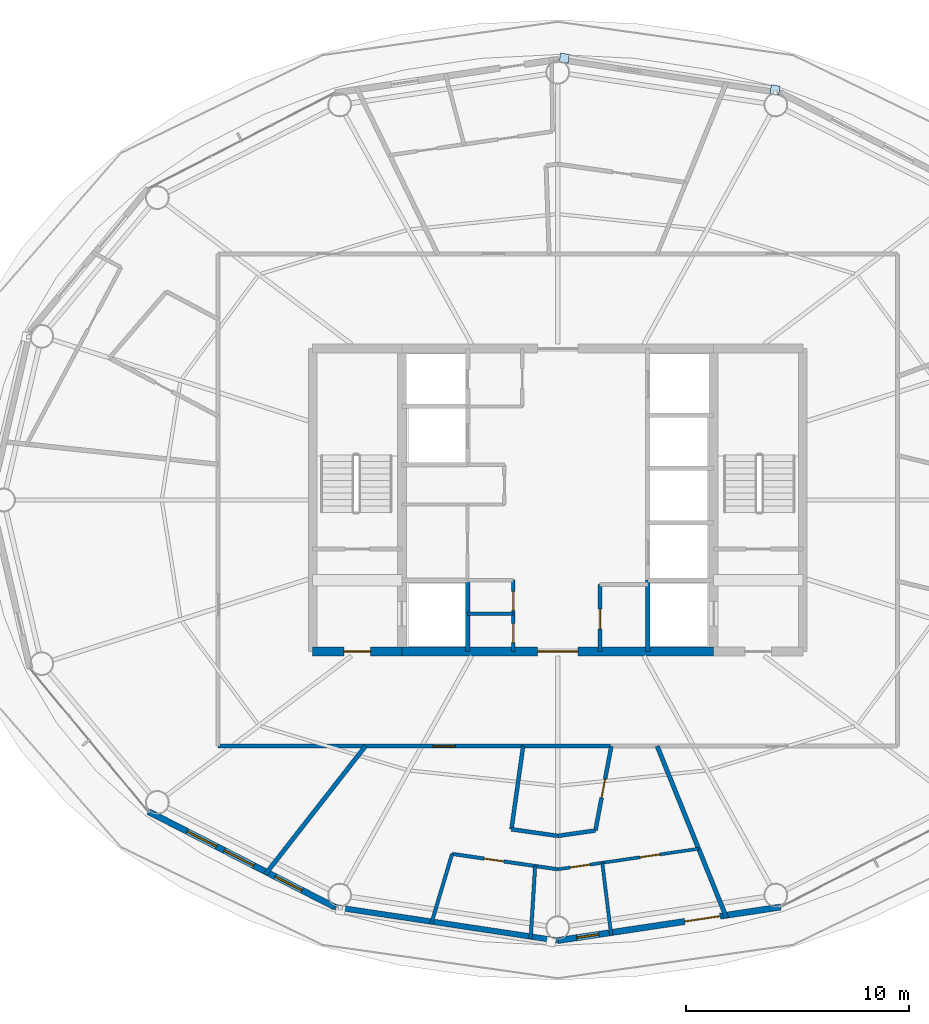
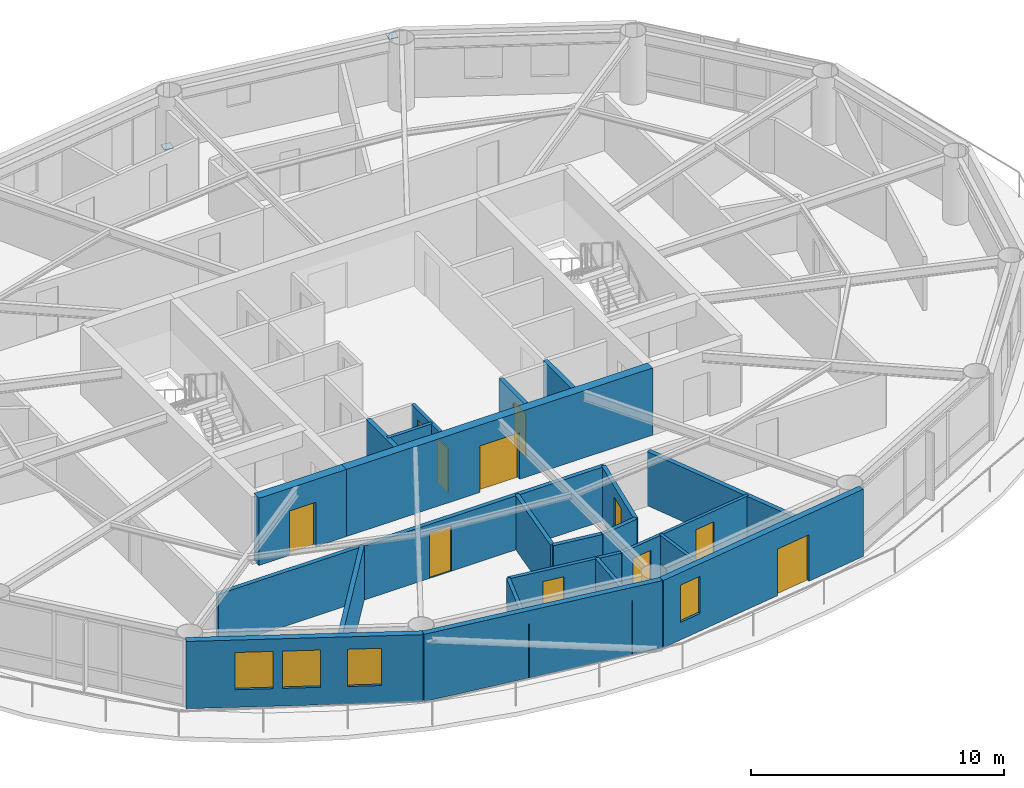
# One storey, part 18 of 24: 22 walls, 11 doors, 4 windows, 2 plates, 15 openings.
"""IFC4 building model written with IfcOpenShell, lengths in metres."""

from ifc_helpers import new_model, si_unit, direction, frame, frame_2d, origin, origin_2d, place, context, subcontext, project, spatial, rectangle, extrude, material, layer, layer_set, type_object, element, fill, save


model = new_model("IFC4")

# Units and contexts
model_context = context("Model", 3, precision=1e-05, world=origin(), true_north=direction((0.0, 1.0)))
body_context = subcontext(model_context, "Body", "Model", "MODEL_VIEW")
ifc_project = project(units=[si_unit("LENGTHUNIT", "METRE"), si_unit("AREAUNIT", "SQUARE_METRE"), si_unit("VOLUMEUNIT", "CUBIC_METRE"), si_unit("PLANEANGLEUNIT", "RADIAN"), si_unit("MASSUNIT", "GRAM", prefix="KILO")], contexts=[model_context])

# Site, building, storey
site_placement = place(None, origin())
site = spatial("IfcSite", under=ifc_project, at=site_placement, CompositionType="ELEMENT")
building_placement = place(site_placement, origin())
building = spatial("IfcBuilding", under=site, at=building_placement, Name="Sarneth Arch Tower", CompositionType="ELEMENT")
storey_placement = place(building_placement, frame((0.0, 0.0, 253.199951171875)))
storey = spatial("IfcBuildingStorey", under=building, at=storey_placement, Name="L65", CompositionType="ELEMENT", Elevation=253.199951171875)

# Plates
ifc_material_1 = material(Name="Steel S355", Category="steel")
ifc_layer_1 = layer(ifc_material_1, 0.035888671875)
ifc_layer_set_1 = layer_set([ifc_layer_1], Name="Steel S355")
plate_type = type_object("IfcPlateType", Name="PLT-GUSSET-30", PredefinedType="SHEET", material=ifc_layer_set_1)
for number, where, z_axis, x_axis, name in (
    (1, (48.296630859375, 61.83544921875, 0.001953125), (0.0, 0.0, 1.0), (-0.988860535448, 0.148845024885, 0.0), "Steel end cap plate GP-1"),
    (2, (57.754150390625, 60.411376953125, 2.90869140625), (0.0, 0.0, 1.0), (-0.988860535448, 0.148845024885, 0.0), "Steel end cap plate GP-1"),
):
    element("IfcPlate", number, at=place(storey_placement, frame(where, z_axis=z_axis, x_axis=x_axis)), inside=storey, type_object=plate_type, Name=name, PredefinedType="SHEET", context=body_context, shape_type="SweptSolid", body=[
        extrude(rectangle(XDim=0.404052734375, YDim=0.404052734375, at=origin_2d()), origin(), (0.0, 0.0, 1.0), 0.035888671875),
    ])

# Wall, opening, door
ifc_material_2 = material(Name="Concrete C50/60", Category="concrete")
ifc_layer_2 = layer(ifc_material_2, 0.39990234375)
ifc_layer_set_2 = layer_set([ifc_layer_2], Name="Concrete C50/60")
wall_type_1 = type_object("IfcWallType", Name="WALL-CORE-400", PredefinedType="SHEAR", material=ifc_layer_set_2)
wall_1_placement = place(storey_placement, frame((37.0, 35.199951171875, 0.0), z_axis=(0.0, 0.0, 1.0), x_axis=(1.0, 0.0, 0.0)))
wall_1 = element("IfcWall", 3, at=wall_1_placement, inside=storey, type_object=wall_type_1, Name="L65 Core shear wall S-W", PredefinedType="SHEAR", context=body_context, shape_type="SweptSolid", body=[
    extrude(rectangle(XDim=4.0, YDim=0.39990234375, at=frame_2d((2.0, 0.0))), origin(), (0.0, 0.0, 1.0), 3.25),
])
opening_1_placement = place(wall_1_placement, frame((1.39990234375, 0.0, 0.0)))
opening_1 = element("IfcOpeningElement", 4, at=opening_1_placement, cuts=wall_1, Name="Opening FD-02", PredefinedType="OPENING", context=body_context, shape_type="SweptSolid", body=[
    extrude(rectangle(XDim=1.199951171875, YDim=2.14990234375, at=frame_2d((0.60009765625, 1.074951171875))), frame((0.0, 0.2099609375, 0.0), z_axis=(0.0, -1.0, 0.0), x_axis=(1.0, 0.0, 0.0)), (0.0, 0.0, 1.0), 0.419921875),
])
ifc_material_3 = material(Name="Galvanised Steel S275 fire door set", Category="steel")
door_type_1 = type_object("IfcDoorType", Name="DR-FD90-1200", OperationType="SINGLE_SWING_LEFT", PredefinedType="DOOR", material=ifc_material_3)
door_1_placement = place(opening_1_placement, origin())
door_1 = element("IfcDoor", 5, at=door_1_placement, inside=storey, type_object=door_type_1, Name="L65 Firefighting lobby 1 exit door", OperationType="SINGLE_SWING_LEFT", OverallHeight=2.14990234375, OverallWidth=1.199951171875, PredefinedType="DOOR", context=body_context, shape_type="SweptSolid", body=[
    extrude(rectangle(XDim=1.199951171875, YDim=2.14990234375, at=frame_2d((0.60009765625, 1.074951171875))), frame((0.0, 0.02490234375, 0.0), z_axis=(0.0, -1.0, 0.0), x_axis=(1.0, 0.0, 0.0)), (0.0, 0.0, 1.0), 0.050048828125),
])
fill(opening_1, door_1)

wall_2_placement = place(storey_placement, frame((41.0, 35.199951171875, 0.0), z_axis=(0.0, 0.0, 1.0), x_axis=(1.0, 0.0, 0.0)))
wall_2 = element("IfcWall", 6, at=wall_2_placement, inside=storey, type_object=wall_type_1, Name="L65 Core shear wall S-M", PredefinedType="SHEAR", context=body_context, shape_type="SweptSolid", body=[
    extrude(rectangle(XDim=14.0, YDim=0.39990234375, at=frame_2d((7.0, 0.0))), origin(), (0.0, 0.0, 1.0), 3.25),
])
opening_2_placement = place(wall_2_placement, frame((6.10009765625, 0.0, 0.0)))
opening_2 = element("IfcOpeningElement", 7, at=opening_2_placement, cuts=wall_2, Name="Opening FD-01", PredefinedType="OPENING", context=body_context, shape_type="SweptSolid", body=[
    extrude(rectangle(XDim=1.800048828125, YDim=2.25, at=frame_2d((0.89990234375, 1.125))), frame((0.0, 0.2099609375, 0.0), z_axis=(0.0, -1.0, 0.0), x_axis=(1.0, 0.0, 0.0)), (0.0, 0.0, 1.0), 0.419921875),
])
ifc_material_4 = material(Name="Galvanised Steel S275 fire door set", Category="steel")
door_type_2 = type_object("IfcDoorType", Name="DR-FD90-1800", OperationType="DOUBLE_DOOR_SINGLE_SWING", PredefinedType="DOOR", material=ifc_material_4)
door_2_placement = place(opening_2_placement, origin())
door_2 = element("IfcDoor", 8, at=door_2_placement, inside=storey, type_object=door_type_2, Name="L65 Central lift lobby south door", OperationType="DOUBLE_DOOR_SINGLE_SWING", OverallHeight=2.25, OverallWidth=1.800048828125, PredefinedType="DOOR", context=body_context, shape_type="SweptSolid", body=[
    extrude(rectangle(XDim=1.800048828125, YDim=2.25, at=frame_2d((0.89990234375, 1.125))), frame((0.0, 0.02490234375, 0.0), z_axis=(0.0, -1.0, 0.0), x_axis=(1.0, 0.0, 0.0)), (0.0, 0.0, 1.0), 0.050048828125),
])
fill(opening_2, door_2)

ifc_material_5 = material(Name="Double steel-stud corridor fire wall", Category="steel")
ifc_layer_3 = layer(ifc_material_5, 0.18994140625)
ifc_layer_set_3 = layer_set([ifc_layer_3], Name="Double steel-stud corridor fire wall")
wall_type_2 = type_object("IfcWallType", Name="WALL-CORR-190", PredefinedType="PARTITIONING", material=ifc_layer_set_3)
wall_3_placement = place(storey_placement, frame((50.4384765625, 30.949951171875, 0.0), z_axis=(0.0, 0.0, 1.0), x_axis=(-1.0, 0.0, 0.0)))
wall_3 = element("IfcWall", 9, at=wall_3_placement, inside=storey, type_object=wall_type_2, Name="L65 Interior partition W-L65-TP-011", PredefinedType="PARTITIONING", context=body_context, shape_type="SweptSolid", body=[
    extrude(rectangle(XDim=17.6884765625, YDim=0.18994140625, at=frame_2d((8.84423828125, 0.0))), origin(), (0.0, 0.0, 1.0), 2.610107421875),
])
opening_3_placement = place(wall_3_placement, frame((7.03564453125, 0.0, 0.0)))
opening_3 = element("IfcOpeningElement", 10, at=opening_3_placement, cuts=wall_3, Name="Opening FD-08", PredefinedType="OPENING", context=body_context, shape_type="SweptSolid", body=[
    extrude(rectangle(XDim=1.0, YDim=2.199951171875, at=frame_2d((0.5, 1.10009765625))), frame((0.0, 0.10498046875, 0.0), z_axis=(0.0, -1.0, 0.0), x_axis=(1.0, 0.0, 0.0)), (0.0, 0.0, 1.0), 0.2099609375),
])
ifc_material_6 = material(Name="Hardwood timber acoustic fire door", Category="wood")
door_type_3 = type_object("IfcDoorType", Name="DR-FD60-1000", OperationType="SINGLE_SWING_LEFT", PredefinedType="DOOR", material=ifc_material_6)
door_3_placement = place(opening_3_placement, origin())
door_3 = element("IfcDoor", 11, at=door_3_placement, inside=storey, type_object=door_type_3, Name="L65 Interior door DR-L65-U5-ENT", OperationType="SINGLE_SWING_LEFT", OverallHeight=2.199951171875, OverallWidth=1.0, PredefinedType="DOOR", context=body_context, shape_type="SweptSolid", body=[
    extrude(rectangle(XDim=1.0, YDim=2.199951171875, at=frame_2d((0.5, 1.10009765625))), frame((0.0, 0.02490234375, 0.0), z_axis=(0.0, -1.0, 0.0), x_axis=(1.0, 0.0, 0.0)), (0.0, 0.0, 1.0), 0.050048828125),
])
fill(opening_3, door_3)

# Wall
ifc_material_7 = material(Name="Extruded terracotta rainscreen on Concrete C40/50 backing", Category="masonry")
ifc_layer_4 = layer(ifc_material_7, 0.25)
ifc_layer_set_4 = layer_set([ifc_layer_4], Name="Extruded terracotta rainscreen on Concrete C40/50 backing")
wall_type_3 = type_object("IfcWallType", Name="WALL-EXT-SPAND-250", PredefinedType="SOLIDWALL", material=ifc_layer_set_4)
wall_4_placement = place(storey_placement, frame((37.9873046875, 23.7255859375, 0.0), z_axis=(0.0, 0.0, 1.0), x_axis=(0.988882522213, -0.148698881169, 0.0)))
element("IfcWall", 12, at=wall_4_placement, inside=storey, type_object=wall_type_3, Name="L65 Terracotta perimeter wall 12", PredefinedType="SOLIDWALL", context=body_context, shape_type="SweptSolid", body=[
    extrude(rectangle(XDim=10.125244140625, YDim=0.25, at=frame_2d((5.0625, 0.0))), origin(), (0.0, 0.0, 1.0), 3.25),
])

# Wall, openings, windows
ifc_material_8 = material(Name="Extruded terracotta rainscreen on Concrete C40/50 backing", Category="masonry")
ifc_layer_5 = layer(ifc_material_8, 0.280029296875)
ifc_layer_set_5 = layer_set([ifc_layer_5], Name="Extruded terracotta rainscreen on Concrete C40/50 backing")
wall_type_4 = type_object("IfcWallType", Name="WALL-EXT-TERRA-280", PredefinedType="SOLIDWALL", material=ifc_layer_set_5)
wall_5_placement = place(storey_placement, frame((29.617431640625, 28.013427734375, 0.0), z_axis=(0.0, 0.0, 1.0), x_axis=(0.890007394051, -0.455946091699, 0.0)))
wall_5 = element("IfcWall", 13, at=wall_5_placement, inside=storey, type_object=wall_type_4, Name="L65 Terracotta perimeter wall 11", PredefinedType="SOLIDWALL", context=body_context, shape_type="SweptSolid", body=[
    extrude(rectangle(XDim=9.404296875, YDim=0.280029296875, at=frame_2d((4.7021484375, 0.0))), origin(), (0.0, 0.0, 1.0), 3.25),
])
opening_4_placement = place(wall_5_placement, frame((1.95361328125, 0.0, 0.85009765625)))
opening_4 = element("IfcOpeningElement", 14, at=opening_4_placement, cuts=wall_5, Name="Opening W-07", PredefinedType="OPENING", context=body_context, shape_type="SweptSolid", body=[
    extrude(rectangle(XDim=1.5, YDim=1.800048828125, at=frame_2d((0.75, 0.89990234375))), frame((0.0, 0.14990234375, 0.0), z_axis=(0.0, -1.0, 0.0), x_axis=(1.0, 0.0, 0.0)), (0.0, 0.0, 1.0), 0.300048828125),
])
opening_5_placement = place(wall_5_placement, frame((3.831298828125, 0.0, 0.85009765625)))
opening_5 = element("IfcOpeningElement", 15, at=opening_5_placement, cuts=wall_5, Name="Opening W-07", PredefinedType="OPENING", context=body_context, shape_type="SweptSolid", body=[
    extrude(rectangle(XDim=1.5, YDim=1.800048828125, at=frame_2d((0.75, 0.89990234375))), frame((0.0, 0.14990234375, 0.0), z_axis=(0.0, -1.0, 0.0), x_axis=(1.0, 0.0, 0.0)), (0.0, 0.0, 1.0), 0.300048828125),
])
opening_6_placement = place(wall_5_placement, frame((6.408203125, 0.0, 0.85009765625)))
opening_6 = element("IfcOpeningElement", 16, at=opening_6_placement, cuts=wall_5, Name="Opening W-08", PredefinedType="OPENING", context=body_context, shape_type="SweptSolid", body=[
    extrude(rectangle(XDim=1.35009765625, YDim=1.800048828125, at=frame_2d((0.675048828125, 0.89990234375))), frame((0.0, 0.14990234375, 0.0), z_axis=(0.0, -1.0, 0.0), x_axis=(1.0, 0.0, 0.0)), (0.0, 0.0, 1.0), 0.300048828125),
])
ifc_material_9 = material(Name="Thermally broken Aluminium 6063-T6 and low-e laminated IGU", Category="aluminium")
window_type_1 = type_object("IfcWindowType", Name="WIN-TWR-1350x1800", PartitioningType="SINGLE_PANEL", PredefinedType="WINDOW", material=ifc_material_9)
window_1_placement = place(opening_6_placement, origin())
window_1 = element("IfcWindow", 17, at=window_1_placement, inside=storey, type_object=window_type_1, Name="L65 Exterior window 11C", OverallHeight=1.800048828125, OverallWidth=1.35009765625, PartitioningType="SINGLE_PANEL", PredefinedType="WINDOW", context=body_context, shape_type="SweptSolid", body=[
    extrude(rectangle(XDim=1.35009765625, YDim=1.800048828125, at=frame_2d((0.675048828125, 0.89990234375))), frame((0.0, 0.030029296875, 0.0), z_axis=(0.0, -1.0, 0.0), x_axis=(1.0, 0.0, 0.0)), (0.0, 0.0, 1.0), 0.06005859375),
])
fill(opening_6, window_1)
ifc_material_10 = material(Name="Thermally broken Aluminium 6063-T6 and low-e laminated IGU", Category="aluminium")
window_type_2 = type_object("IfcWindowType", Name="WIN-TWR-1500x1800", PartitioningType="SINGLE_PANEL", PredefinedType="WINDOW", material=ifc_material_10)
window_2_placement = place(opening_4_placement, origin())
window_2 = element("IfcWindow", 18, at=window_2_placement, inside=storey, type_object=window_type_2, Name="L65 Exterior window 11A", OverallHeight=1.800048828125, OverallWidth=1.5, PartitioningType="SINGLE_PANEL", PredefinedType="WINDOW", context=body_context, shape_type="SweptSolid", body=[
    extrude(rectangle(XDim=1.5, YDim=1.800048828125, at=frame_2d((0.75, 0.89990234375))), frame((0.0, 0.030029296875, 0.0), z_axis=(0.0, -1.0, 0.0), x_axis=(1.0, 0.0, 0.0)), (0.0, 0.0, 1.0), 0.06005859375),
])
fill(opening_4, window_2)
window_3_placement = place(opening_5_placement, origin())
window_3 = element("IfcWindow", 19, at=window_3_placement, inside=storey, type_object=window_type_2, Name="L65 Exterior window 11B", OverallHeight=1.800048828125, OverallWidth=1.5, PartitioningType="SINGLE_PANEL", PredefinedType="WINDOW", context=body_context, shape_type="SweptSolid", body=[
    extrude(rectangle(XDim=1.5, YDim=1.800048828125, at=frame_2d((0.75, 0.89990234375))), frame((0.0, 0.030029296875, 0.0), z_axis=(0.0, -1.0, 0.0), x_axis=(1.0, 0.0, 0.0)), (0.0, 0.0, 1.0), 0.06005859375),
])
fill(opening_5, window_3)

# Wall, openings, door, window
wall_6_placement = place(storey_placement, frame((48.0, 22.219970703125, 0.0), z_axis=(0.0, 0.0, 1.0), x_axis=(0.988882522213, 0.148698881169, 0.0)))
wall_6 = element("IfcWall", 20, at=wall_6_placement, inside=storey, type_object=wall_type_4, Name="L65 Terracotta perimeter wall 13", PredefinedType="SOLIDWALL", context=body_context, shape_type="SweptSolid", body=[
    extrude(rectangle(XDim=10.125244140625, YDim=0.280029296875, at=frame_2d((5.0625, 0.0))), origin(), (0.0, 0.0, 1.0), 3.25),
])
opening_7_placement = place(wall_6_placement, frame((5.7666015625, 0.0, 0.0)))
opening_7 = element("IfcOpeningElement", 21, at=opening_7_placement, cuts=wall_6, Name="Opening BD-1", PredefinedType="OPENING", context=body_context, shape_type="SweptSolid", body=[
    extrude(rectangle(XDim=1.60009765625, YDim=2.25, at=frame_2d((0.800048828125, 1.125))), frame((0.0, 0.14990234375, 0.0), z_axis=(0.0, -1.0, 0.0), x_axis=(1.0, 0.0, 0.0)), (0.0, 0.0, 1.0), 0.300048828125),
])
opening_8_placement = place(wall_6_placement, frame((0.8662109375, 0.0, 0.85009765625)))
opening_8 = element("IfcOpeningElement", 22, at=opening_8_placement, cuts=wall_6, Name="Opening W-11", PredefinedType="OPENING", context=body_context, shape_type="SweptSolid", body=[
    extrude(rectangle(XDim=1.0, YDim=1.800048828125, at=frame_2d((0.5, 0.89990234375))), frame((0.0, 0.14990234375, 0.0), z_axis=(0.0, -1.0, 0.0), x_axis=(1.0, 0.0, 0.0)), (0.0, 0.0, 1.0), 0.300048828125),
])
ifc_material_11 = material(Name="Thermally broken Aluminium 6063-T6 and laminated safety glass", Category="aluminium")
door_type_4 = type_object("IfcDoorType", Name="DR-BALC-GLZ-1600", OperationType="DOUBLE_DOOR_SINGLE_SWING", PredefinedType="DOOR", material=ifc_material_11)
door_4_placement = place(opening_7_placement, origin())
door_4 = element("IfcDoor", 23, at=door_4_placement, inside=storey, type_object=door_type_4, Name="L65 Balcony glazed door 13", OperationType="DOUBLE_DOOR_SINGLE_SWING", OverallHeight=2.25, OverallWidth=1.60009765625, PredefinedType="DOOR", context=body_context, shape_type="SweptSolid", body=[
    extrude(rectangle(XDim=1.60009765625, YDim=2.25, at=frame_2d((0.800048828125, 1.125))), frame((0.0, 0.02490234375, 0.0), z_axis=(0.0, -1.0, 0.0), x_axis=(1.0, 0.0, 0.0)), (0.0, 0.0, 1.0), 0.050048828125),
])
fill(opening_7, door_4)
ifc_material_12 = material(Name="Thermally broken Aluminium 6063-T6 and low-e laminated IGU", Category="aluminium")
window_type_3 = type_object("IfcWindowType", Name="WIN-TWR-1000x1800", PartitioningType="SINGLE_PANEL", PredefinedType="WINDOW", material=ifc_material_12)
window_4_placement = place(opening_8_placement, origin())
window_4 = element("IfcWindow", 24, at=window_4_placement, inside=storey, type_object=window_type_3, Name="L65 Dwelling bedroom window 02", OverallHeight=1.800048828125, OverallWidth=1.0, PartitioningType="SINGLE_PANEL", PredefinedType="WINDOW", context=body_context, shape_type="SweptSolid", body=[
    extrude(rectangle(XDim=1.0, YDim=1.800048828125, at=frame_2d((0.5, 0.89990234375))), frame((0.0, 0.030029296875, 0.0), z_axis=(0.0, -1.0, 0.0), x_axis=(1.0, 0.0, 0.0)), (0.0, 0.0, 1.0), 0.06005859375),
])
fill(opening_8, window_4)

# Wall, openings, doors
ifc_material_13 = material(Name="Apartment internal stud partition", Category="gypsum")
ifc_layer_6 = layer(ifc_material_13, 0.139892578125)
ifc_layer_set_6 = layer_set([ifc_layer_6], Name="Apartment internal stud partition")
wall_type_5 = type_object("IfcWallType", Name="WALL-PART-140", PredefinedType="PARTITIONING", material=ifc_layer_set_6)
wall_7_placement = place(storey_placement, frame((54.326171875, 26.342529296875, 0.0), z_axis=(0.0, 0.0, 1.0), x_axis=(-0.989532072188, -0.144313125224, 0.0)))
wall_7 = element("IfcWall", 25, at=wall_7_placement, inside=storey, type_object=wall_type_5, Name="L65 Interior partition W-L65-TP-047", PredefinedType="PARTITIONING", context=body_context, shape_type="SweptSolid", body=[
    extrude(rectangle(XDim=6.39306640625, YDim=0.139892578125, at=frame_2d((3.196533203125, 0.0))), origin(), (0.0, 0.0, 1.0), 2.610107421875),
])
opening_9_placement = place(wall_7_placement, frame((1.751953125, 0.0, 0.0)))
opening_9 = element("IfcOpeningElement", 26, at=opening_9_placement, cuts=wall_7, Name="Opening ID-01", PredefinedType="OPENING", context=body_context, shape_type="SweptSolid", body=[
    extrude(rectangle(XDim=0.89990234375, YDim=2.10009765625, at=frame_2d((0.449951171875, 1.050048828125))), frame((0.0, 0.079833984375, 0.0), z_axis=(0.0, -1.0, 0.0), x_axis=(1.0, 0.0, 0.0)), (0.0, 0.0, 1.0), 0.159912109375),
])
opening_10_placement = place(wall_7_placement, frame((4.932373046875, 0.0, 0.0)))
opening_10 = element("IfcOpeningElement", 27, at=opening_10_placement, cuts=wall_7, Name="Opening ID-01", PredefinedType="OPENING", context=body_context, shape_type="SweptSolid", body=[
    extrude(rectangle(XDim=0.89990234375, YDim=2.10009765625, at=frame_2d((0.449951171875, 1.050048828125))), frame((0.0, 0.079833984375, 0.0), z_axis=(0.0, -1.0, 0.0), x_axis=(1.0, 0.0, 0.0)), (0.0, 0.0, 1.0), 0.159912109375),
])
ifc_material_14 = material(Name="Engineered hardwood flush door", Category="wood")
door_type_5 = type_object("IfcDoorType", Name="DR-INT-900", OperationType="SINGLE_SWING_LEFT", PredefinedType="DOOR", material=ifc_material_14)
door_5_placement = place(opening_9_placement, origin())
door_5 = element("IfcDoor", 28, at=door_5_placement, inside=storey, type_object=door_type_5, Name="L65 Interior door DR-L65-U5-BED2", OperationType="SINGLE_SWING_LEFT", OverallHeight=2.10009765625, OverallWidth=0.89990234375, PredefinedType="DOOR", context=body_context, shape_type="SweptSolid", body=[
    extrude(rectangle(XDim=0.89990234375, YDim=2.10009765625, at=frame_2d((0.449951171875, 1.050048828125))), frame((0.0, 0.02490234375, 0.0), z_axis=(0.0, -1.0, 0.0), x_axis=(1.0, 0.0, 0.0)), (0.0, 0.0, 1.0), 0.050048828125),
])
fill(opening_9, door_5)
door_6_placement = place(opening_10_placement, origin())
door_6 = element("IfcDoor", 29, at=door_6_placement, inside=storey, type_object=door_type_5, Name="L65 Interior door DR-L65-U5-BED1", OperationType="SINGLE_SWING_LEFT", OverallHeight=2.10009765625, OverallWidth=0.89990234375, PredefinedType="DOOR", context=body_context, shape_type="SweptSolid", body=[
    extrude(rectangle(XDim=0.89990234375, YDim=2.10009765625, at=frame_2d((0.449951171875, 1.050048828125))), frame((0.0, 0.02490234375, 0.0), z_axis=(0.0, -1.0, 0.0), x_axis=(1.0, 0.0, 0.0)), (0.0, 0.0, 1.0), 0.050048828125),
])
fill(opening_10, door_6)

# Wall
ifc_material_15 = material(Name="Acoustic gypsum stud partition", Category="gypsum")
ifc_layer_7 = layer(ifc_material_15, 0.14990234375)
ifc_layer_set_7 = layer_set([ifc_layer_7], Name="Acoustic gypsum stud partition")
wall_type_6 = type_object("IfcWallType", Name="WALL-PART-150", PredefinedType="PARTITIONING", material=ifc_layer_set_7)
wall_8_placement = place(storey_placement, frame((43.949951171875, 36.89990234375, 0.0), z_axis=(0.0, 0.0, 1.0), x_axis=(1.0, 0.0, 0.0)))
element("IfcWall", 30, at=wall_8_placement, inside=storey, type_object=wall_type_6, Name="L65 Interior partition W-L65-CSUP-M", PredefinedType="PARTITIONING", context=body_context, shape_type="SweptSolid", body=[
    extrude(rectangle(XDim=2.050048828125, YDim=0.14990234375, at=frame_2d((1.02490234375, 0.0))), origin(), (0.0, 0.0, 1.0), 2.610107421875),
])

# Wall, openings, doors
wall_9_placement = place(storey_placement, frame((46.0, 35.199951171875, 0.0), z_axis=(0.0, 0.0, 1.0), x_axis=(0.0, 1.0, 0.0)))
wall_9 = element("IfcWall", 31, at=wall_9_placement, inside=storey, type_object=wall_type_6, Name="L65 Interior partition W-L65-CSUP-E", PredefinedType="PARTITIONING", context=body_context, shape_type="SweptSolid", body=[
    extrude(rectangle(XDim=3.199951171875, YDim=0.14990234375, at=frame_2d((1.60009765625, 0.0))), origin(), (0.0, 0.0, 1.0), 2.610107421875),
])
opening_11_placement = place(wall_9_placement, frame((0.39990234375, 0.0, 0.0)))
opening_11 = element("IfcOpeningElement", 32, at=opening_11_placement, cuts=wall_9, Name="Opening FD-11", PredefinedType="OPENING", context=body_context, shape_type="SweptSolid", body=[
    extrude(rectangle(XDim=0.85009765625, YDim=2.14990234375, at=frame_2d((0.425048828125, 1.074951171875))), frame((0.0, 0.0849609375, 0.0), z_axis=(0.0, -1.0, 0.0), x_axis=(1.0, 0.0, 0.0)), (0.0, 0.0, 1.0), 0.169921875),
])
opening_12_placement = place(wall_9_placement, frame((1.85009765625, 0.0, 0.0)))
opening_12 = element("IfcOpeningElement", 33, at=opening_12_placement, cuts=wall_9, Name="Opening FD-11", PredefinedType="OPENING", context=body_context, shape_type="SweptSolid", body=[
    extrude(rectangle(XDim=0.85009765625, YDim=2.14990234375, at=frame_2d((0.425048828125, 1.074951171875))), frame((0.0, 0.0849609375, 0.0), z_axis=(0.0, -1.0, 0.0), x_axis=(1.0, 0.0, 0.0)), (0.0, 0.0, 1.0), 0.169921875),
])
ifc_material_16 = material(Name="Galvanised Steel S275 closet fire door", Category="steel")
door_type_6 = type_object("IfcDoorType", Name="DR-FD60-850", OperationType="SINGLE_SWING_LEFT", PredefinedType="DOOR", material=ifc_material_16)
door_7_placement = place(opening_11_placement, origin())
door_7 = element("IfcDoor", 34, at=door_7_placement, inside=storey, type_object=door_type_6, Name="L65 Interior door DR-L65-CSUP1", OperationType="SINGLE_SWING_LEFT", OverallHeight=2.14990234375, OverallWidth=0.85009765625, PredefinedType="DOOR", context=body_context, shape_type="SweptSolid", body=[
    extrude(rectangle(XDim=0.85009765625, YDim=2.14990234375, at=frame_2d((0.425048828125, 1.074951171875))), frame((0.0, 0.02490234375, 0.0), z_axis=(0.0, -1.0, 0.0), x_axis=(1.0, 0.0, 0.0)), (0.0, 0.0, 1.0), 0.050048828125),
])
fill(opening_11, door_7)
door_8_placement = place(opening_12_placement, origin())
door_8 = element("IfcDoor", 35, at=door_8_placement, inside=storey, type_object=door_type_6, Name="L65 Interior door DR-L65-CSUP2", OperationType="SINGLE_SWING_RIGHT", OverallHeight=2.14990234375, OverallWidth=0.85009765625, PredefinedType="DOOR", context=body_context, shape_type="SweptSolid", body=[
    extrude(rectangle(XDim=0.85009765625, YDim=2.14990234375, at=frame_2d((0.425048828125, 1.074951171875))), frame((0.0, 0.02490234375, 0.0), z_axis=(0.0, -1.0, 0.0), x_axis=(1.0, 0.0, 0.0)), (0.0, 0.0, 1.0), 0.050048828125),
])
fill(opening_12, door_8)

# Wall
wall_10_placement = place(storey_placement, frame((50.3994140625, 22.45947265625, 0.0), z_axis=(0.0, 0.0, 1.0), x_axis=(-0.121897740347, 0.992542664523, 0.0)))
element("IfcWall", 36, at=wall_10_placement, inside=storey, type_object=wall_type_6, Name="L65 Interior partition W-L65-TP-050", PredefinedType="PARTITIONING", context=body_context, shape_type="SweptSolid", body=[
    extrude(rectangle(XDim=3.276611328125, YDim=0.14990234375, at=frame_2d((1.63818359375, 0.0))), origin(), (0.0, 0.0, 1.0), 2.610107421875),
])

# Wall, opening, door
ifc_material_17 = material(Name="Kitchen wet service chase wall", Category="gypsum")
ifc_layer_8 = layer(ifc_material_17, 0.159912109375)
ifc_layer_set_8 = layer_set([ifc_layer_8], Name="Kitchen wet service chase wall")
wall_type_7 = type_object("IfcWallType", Name="WALL-PLUMB-160", PredefinedType="PLUMBINGWALL", material=ifc_layer_set_8)
wall_11_placement = place(storey_placement, frame((48.0, 25.420166015625, 0.0), z_axis=(0.0, 0.0, 1.0), x_axis=(-0.989542982388, 0.144238295909, 0.0)))
wall_11 = element("IfcWall", 37, at=wall_11_placement, inside=storey, type_object=wall_type_7, Name="L65 Interior partition W-L65-TP-039", PredefinedType="PLUMBINGWALL", context=body_context, shape_type="SweptSolid", body=[
    extrude(rectangle(XDim=4.791748046875, YDim=0.159912109375, at=frame_2d((2.39599609375, 0.0))), origin(), (0.0, 0.0, 1.0), 2.610107421875),
])
opening_13_placement = place(wall_11_placement, frame((2.4423828125, 0.0, 0.0)))
opening_13 = element("IfcOpeningElement", 38, at=opening_13_placement, cuts=wall_11, Name="Opening ID-01", PredefinedType="OPENING", context=body_context, shape_type="SweptSolid", body=[
    extrude(rectangle(XDim=0.89990234375, YDim=2.10009765625, at=frame_2d((0.449951171875, 1.050048828125))), frame((0.0, 0.08984375, 0.0), z_axis=(0.0, -1.0, 0.0), x_axis=(1.0, 0.0, 0.0)), (0.0, 0.0, 1.0), 0.179931640625),
])
door_9_placement = place(opening_13_placement, origin())
door_9 = element("IfcDoor", 39, at=door_9_placement, inside=storey, type_object=door_type_5, Name="L65 Interior door DR-L65-U5-KIT", OperationType="SINGLE_SWING_LEFT", OverallHeight=2.10009765625, OverallWidth=0.89990234375, PredefinedType="DOOR", context=body_context, shape_type="SweptSolid", body=[
    extrude(rectangle(XDim=0.89990234375, YDim=2.10009765625, at=frame_2d((0.449951171875, 1.050048828125))), frame((0.0, 0.02490234375, 0.0), z_axis=(0.0, -1.0, 0.0), x_axis=(1.0, 0.0, 0.0)), (0.0, 0.0, 1.0), 0.050048828125),
])
fill(opening_13, door_9)

# Walls
wall_12_placement = place(storey_placement, frame((43.25830078125, 26.111328125, 0.0), z_axis=(0.0, 0.0, 1.0), x_axis=(-0.285987792307, -0.958233261086, 0.0)))
element("IfcWall", 40, at=wall_12_placement, inside=storey, type_object=wall_type_7, Name="L65 Interior partition W-L65-TP-040", PredefinedType="PLUMBINGWALL", context=body_context, shape_type="SweptSolid", body=[
    extrude(rectangle(XDim=3.29443359375, YDim=0.159912109375, at=frame_2d((1.647216796875, 0.0))), origin(), (0.0, 0.0, 1.0), 2.610107421875),
])
wall_13_placement = place(storey_placement, frame((46.782958984375, 22.281982421875, 0.0), z_axis=(0.0, 0.0, 1.0), x_axis=(0.061625718294, 0.998099329148, 0.0)))
element("IfcWall", 41, at=wall_13_placement, inside=storey, type_object=wall_type_7, Name="L65 Interior partition W-L65-TP-049", PredefinedType="PLUMBINGWALL", context=body_context, shape_type="SweptSolid", body=[
    extrude(rectangle(XDim=3.292236328125, YDim=0.159912109375, at=frame_2d((1.64599609375, 0.0))), origin(), (0.0, 0.0, 1.0), 2.610107421875),
])

# Wall, opening, door
ifc_material_18 = material(Name="Moisture-resistant plumbing chase wall", Category="gypsum")
ifc_layer_9 = layer(ifc_material_18, 0.179931640625)
ifc_layer_set_9 = layer_set([ifc_layer_9], Name="Moisture-resistant plumbing chase wall")
wall_type_8 = type_object("IfcWallType", Name="WALL-PLUMB-180", PredefinedType="PLUMBINGWALL", material=ifc_layer_set_9)
wall_14_placement = place(storey_placement, frame((49.89990234375, 35.199951171875, 0.0), z_axis=(0.0, 0.0, 1.0), x_axis=(0.0, 1.0, 0.0)))
wall_14 = element("IfcWall", 42, at=wall_14_placement, inside=storey, type_object=wall_type_8, Name="L65 Interior partition W-L65-AWC-W", PredefinedType="PLUMBINGWALL", context=body_context, shape_type="SweptSolid", body=[
    extrude(rectangle(XDim=3.0, YDim=0.179931640625, at=frame_2d((1.5, 0.0))), origin(), (0.0, 0.0, 1.0), 2.610107421875),
])
opening_14_placement = place(wall_14_placement, frame((1.0, 0.0, 0.0)))
opening_14 = element("IfcOpeningElement", 43, at=opening_14_placement, cuts=wall_14, Name="Opening ID-01", PredefinedType="OPENING", context=body_context, shape_type="SweptSolid", body=[
    extrude(rectangle(XDim=0.89990234375, YDim=2.10009765625, at=frame_2d((0.449951171875, 1.050048828125))), frame((0.0, 0.099853515625, 0.0), z_axis=(0.0, -1.0, 0.0), x_axis=(1.0, 0.0, 0.0)), (0.0, 0.0, 1.0), 0.199951171875),
])
door_10_placement = place(opening_14_placement, origin())
door_10 = element("IfcDoor", 44, at=door_10_placement, inside=storey, type_object=door_type_5, Name="L65 Interior door DR-L65-AWC", OperationType="SINGLE_SWING_RIGHT", OverallHeight=2.10009765625, OverallWidth=0.89990234375, PredefinedType="DOOR", context=body_context, shape_type="SweptSolid", body=[
    extrude(rectangle(XDim=0.89990234375, YDim=2.10009765625, at=frame_2d((0.449951171875, 1.050048828125))), frame((0.0, 0.02490234375, 0.0), z_axis=(0.0, -1.0, 0.0), x_axis=(1.0, 0.0, 0.0)), (0.0, 0.0, 1.0), 0.050048828125),
])
fill(opening_14, door_10)

wall_15_placement = place(storey_placement, frame((49.69140625, 27.162109375, 0.0), z_axis=(0.0, 0.0, 1.0), x_axis=(0.18532477331, 0.982677326694, 0.0)))
wall_15 = element("IfcWall", 45, at=wall_15_placement, inside=storey, type_object=wall_type_8, Name="L65 Interior partition W-L65-TP-044", PredefinedType="PLUMBINGWALL", context=body_context, shape_type="SweptSolid", body=[
    extrude(rectangle(XDim=3.8544921875, YDim=0.179931640625, at=frame_2d((1.92724609375, 0.0))), origin(), (0.0, 0.0, 1.0), 2.610107421875),
])
opening_15_placement = place(wall_15_placement, frame((1.50244140625, 0.0, 0.0)))
opening_15 = element("IfcOpeningElement", 46, at=opening_15_placement, cuts=wall_15, Name="Opening ID-02", PredefinedType="OPENING", context=body_context, shape_type="SweptSolid", body=[
    extrude(rectangle(XDim=0.85009765625, YDim=2.10009765625, at=frame_2d((0.425048828125, 1.050048828125))), frame((0.0, 0.099853515625, 0.0), z_axis=(0.0, -1.0, 0.0), x_axis=(1.0, 0.0, 0.0)), (0.0, 0.0, 1.0), 0.199951171875),
])
ifc_material_19 = material(Name="Moisture-resistant bathroom timber door", Category="wood")
door_type_7 = type_object("IfcDoorType", Name="DR-INT-850", OperationType="SINGLE_SWING_RIGHT", PredefinedType="DOOR", material=ifc_material_19)
door_11_placement = place(opening_15_placement, origin())
door_11 = element("IfcDoor", 47, at=door_11_placement, inside=storey, type_object=door_type_7, Name="L65 Interior door DR-L65-U5-BATH", OperationType="SINGLE_SWING_LEFT", OverallHeight=2.10009765625, OverallWidth=0.85009765625, PredefinedType="DOOR", context=body_context, shape_type="SweptSolid", body=[
    extrude(rectangle(XDim=0.85009765625, YDim=2.10009765625, at=frame_2d((0.425048828125, 1.050048828125))), frame((0.0, 0.02490234375, 0.0), z_axis=(0.0, -1.0, 0.0), x_axis=(1.0, 0.0, 0.0)), (0.0, 0.0, 1.0), 0.050048828125),
])
fill(opening_15, door_11)

# Walls
wall_16_placement = place(storey_placement, frame((46.447021484375, 30.949951171875, 0.0), z_axis=(0.0, 0.0, 1.0), x_axis=(-0.139190324899, -0.990265647922, 0.0)))
element("IfcWall", 48, at=wall_16_placement, inside=storey, type_object=wall_type_8, Name="L65 Interior partition W-L65-TP-041", PredefinedType="PLUMBINGWALL", context=body_context, shape_type="SweptSolid", body=[
    extrude(rectangle(XDim=3.769287109375, YDim=0.179931640625, at=frame_2d((1.884765625, 0.0))), origin(), (0.0, 0.0, 1.0), 2.610107421875),
])
wall_17_placement = place(storey_placement, frame((45.92236328125, 27.21728515625, 0.0), z_axis=(0.0, 0.0, 1.0), x_axis=(0.989912235878, -0.141681915781, 0.0)))
element("IfcWall", 49, at=wall_17_placement, inside=storey, type_object=wall_type_8, Name="L65 Interior partition W-L65-TP-042", PredefinedType="PLUMBINGWALL", context=body_context, shape_type="SweptSolid", body=[
    extrude(rectangle(XDim=2.098876953125, YDim=0.179931640625, at=frame_2d((1.04931640625, 0.0))), origin(), (0.0, 0.0, 1.0), 2.610107421875),
])
wall_18_placement = place(storey_placement, frame((48.0, 26.919921875, 0.0), z_axis=(0.0, 0.0, 1.0), x_axis=(0.989903718886, 0.141741410095, 0.0)))
element("IfcWall", 50, at=wall_18_placement, inside=storey, type_object=wall_type_8, Name="L65 Interior partition W-L65-TP-043", PredefinedType="PLUMBINGWALL", context=body_context, shape_type="SweptSolid", body=[
    extrude(rectangle(XDim=1.708740234375, YDim=0.179931640625, at=frame_2d((0.8544921875, 0.0))), origin(), (0.0, 0.0, 1.0), 2.610107421875),
])
ifc_material_20 = material(Name="Aerated concrete blockwork C25/30", Category="masonry")
ifc_layer_10 = layer(ifc_material_20, 0.199951171875)
ifc_layer_set_10 = layer_set([ifc_layer_10], Name="Aerated concrete blockwork C25/30")
wall_type_9 = type_object("IfcWallType", Name="WALL-SHAFT-200", PredefinedType="SOLIDWALL", material=ifc_layer_set_10)
for number, where, z_axis, x_axis, name in (
    (51, (43.949951171875, 35.199951171875, 0.0), (0.0, 0.0, 1.0), (0.0, 1.0, 0.0), "L65 Interior partition W-L65-FL1-E"),
    (52, (52.050048828125, 35.199951171875, 0.0), (0.0, 0.0, 1.0), (0.0, 1.0, 0.0), "L65 Interior partition W-L65-FL2-W"),
):
    element("IfcWall", number, at=place(storey_placement, frame(where, z_axis=z_axis, x_axis=x_axis)), inside=storey, type_object=wall_type_9, Name=name, PredefinedType="SOLIDWALL", context=body_context, shape_type="SweptSolid", body=[
        extrude(rectangle(XDim=3.199951171875, YDim=0.199951171875, at=frame_2d((1.60009765625, 0.0))), origin(), (0.0, 0.0, 1.0), 2.610107421875),
    ])
ifc_material_21 = material(Name="Double steel-stud acoustic drywall", Category="steel")
ifc_layer_11 = layer(ifc_material_21, 0.199951171875)
ifc_layer_set_11 = layer_set([ifc_layer_11], Name="Double steel-stud acoustic drywall")
wall_type_10 = type_object("IfcWallType", Name="WALL-UNIT-200", PredefinedType="PARTITIONING", material=ifc_layer_set_11)
wall_19_placement = place(storey_placement, frame((39.36669921875, 30.949951171875, 0.0), z_axis=(0.0, 0.0, 1.0), x_axis=(-0.615657656631, -0.788013737083, 0.0)))
element("IfcWall", 53, at=wall_19_placement, inside=storey, type_object=wall_type_10, Name="L65 Interior partition W-L65-TP-038", PredefinedType="PARTITIONING", context=body_context, shape_type="SweptSolid", body=[
    extrude(rectangle(XDim=7.3076171875, YDim=0.199951171875, at=frame_2d((3.65380859375, 0.0))), origin(), (0.0, 0.0, 1.0), 2.610107421875),
])
wall_20_placement = place(storey_placement, frame((52.464599609375, 30.949951171875, 0.0), z_axis=(0.0, 0.0, 1.0), x_axis=(0.37462375936, -0.92717691889, 0.0)))
element("IfcWall", 54, at=wall_20_placement, inside=storey, type_object=wall_type_10, Name="L65 Interior partition W-L65-TP-048", PredefinedType="PARTITIONING", context=body_context, shape_type="SweptSolid", body=[
    extrude(rectangle(XDim=8.313720703125, YDim=0.199951171875, at=frame_2d((4.15673828125, 0.0))), origin(), (0.0, 0.0, 1.0), 2.610107421875),
])

save(model, "model.ifc")
